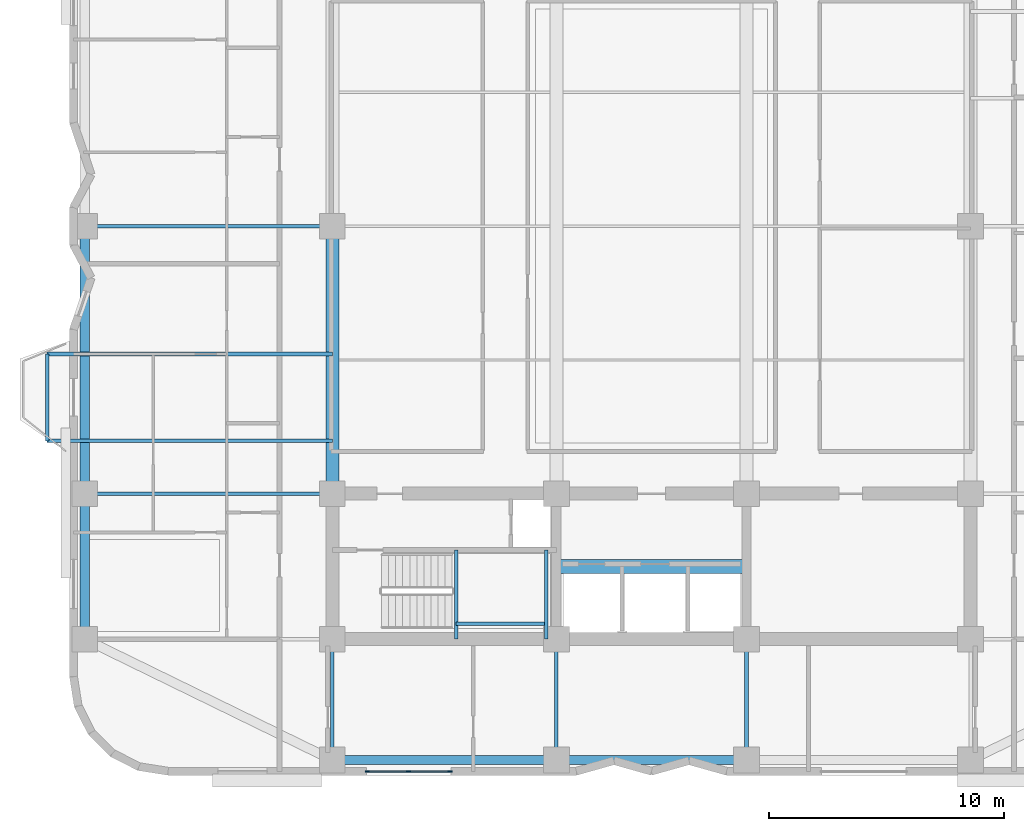
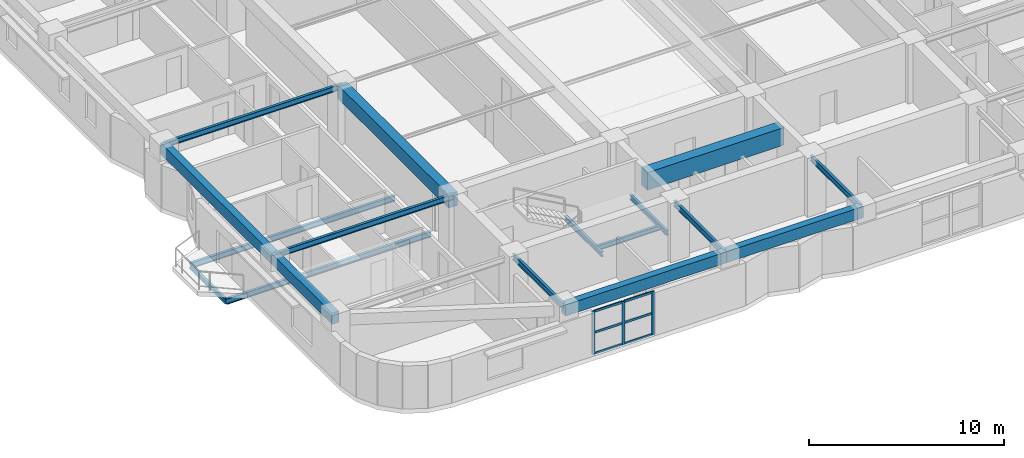
# One storey, part 2 of 15: 17 beams, 9 members, 1 element without a shape of its own.
"""IFC4 building model written with IfcOpenShell, lengths in metres."""

from ifc_helpers import new_model, si_unit, direction, frame, origin, origin_2d, place, context, subcontext, project, spatial, rectangle, i_section, extrude, material, material_profile, profile_set, type_object, element, aggregate, save


model = new_model("IFC4")

# Units and contexts
model_context = context("Model", 3, precision=1e-05, world=origin(), true_north=direction((0.0, 1.0)))
body_context = subcontext(model_context, "Body", "Model", "MODEL_VIEW")
ifc_project = project(units=[si_unit("LENGTHUNIT", "METRE"), si_unit("AREAUNIT", "SQUARE_METRE"), si_unit("VOLUMEUNIT", "CUBIC_METRE"), si_unit("PLANEANGLEUNIT", "RADIAN"), si_unit("MASSUNIT", "GRAM", prefix="KILO")], contexts=[model_context])

# Site, building, storey
site_placement = place(None, origin())
site = spatial("IfcSite", under=ifc_project, at=site_placement, CompositionType="ELEMENT")
building_placement = place(site_placement, origin())
building = spatial("IfcBuilding", under=site, at=building_placement, Name="Svetorya Sky Lyceum", CompositionType="ELEMENT")
storey_placement = place(building_placement, frame((0.0, 0.0, 117.89990234375)))
storey = spatial("IfcBuildingStorey", under=building, at=storey_placement, Name="L29", CompositionType="ELEMENT", Elevation=117.89990234375)

# Beams
ifc_material_1 = material(Name="Concrete C60/75", Category="concrete")
ifc_material_profile_1 = material_profile(ifc_material_1, rectangle(XDim=0.60009765625, YDim=1.10009765625, at=origin_2d()), Name="RC COUPLING 600x1100")
ifc_profile_set_1 = profile_set([ifc_material_profile_1], Name="Concrete C60/75")
beam_type_1 = type_object("IfcBeamType", Name="BM-CPL-1100", PredefinedType="LINTEL", material=ifc_profile_set_1)
beam_1_placement = place(storey_placement, frame((35.14990234375, 13.699951171875, 2.8701171875), z_axis=(1.0, 0.0, 0.0), x_axis=(0.0, 1.0, 0.0)))
element("IfcBeam", 1, at=beam_1_placement, inside=storey, type_object=beam_type_1, Name="L29 SC Core Coupling Beam", PredefinedType="LINTEL", context=body_context, shape_type="SweptSolid", body=[
    extrude(rectangle(XDim=0.60009765625, YDim=1.10009765625, at=origin_2d()), origin(), (0.0, 0.0, 1.0), 8.10009765625),
])
ifc_material_2 = material(Name="Concrete C50/60", Category="concrete")
ifc_material_profile_2 = material_profile(ifc_material_2, rectangle(XDim=0.550048828125, YDim=0.85009765625, at=origin_2d()), Name="RC BEAM 550x850")
ifc_profile_set_2 = profile_set([ifc_material_profile_2], Name="Concrete C50/60")
beam_type_2 = type_object("IfcBeamType", Name="BM-RC-850", PredefinedType="BEAM", material=ifc_profile_set_2)
beam_2_placement = place(storey_placement, frame((25.60009765625, 16.800048828125, 2.9951171875), z_axis=(0.0, 1.0, 0.0), x_axis=(-1.0, 0.0, 0.0)))
element("IfcBeam", 2, at=beam_2_placement, inside=storey, type_object=beam_type_2, Name="L29 Central Bay Primary Girder CG-1A", PredefinedType="BEAM", context=body_context, shape_type="SweptSolid", body=[
    extrude(rectangle(XDim=0.550048828125, YDim=0.85009765625, at=origin_2d()), origin(), (0.0, 0.0, 1.0), 11.39990234375),
])
ifc_material_profile_3 = material_profile(ifc_material_2, rectangle(XDim=0.39990234375, YDim=0.699951171875, at=origin_2d()), Name="RC SPANDREL 400x700")
ifc_profile_set_3 = profile_set([ifc_material_profile_3], Name="Concrete C50/60")
beam_type_3 = type_object("IfcBeamType", Name="BM-SPN-700", PredefinedType="SPANDREL", material=ifc_profile_set_3)
beam_3_placement = place(storey_placement, frame((25.60009765625, 5.449951171875, 3.070068359375), z_axis=(1.0, 0.0, 0.0), x_axis=(0.0, 1.0, 0.0)))
element("IfcBeam", 3, at=beam_3_placement, inside=storey, type_object=beam_type_3, Name="L29 South Spandrel 1", PredefinedType="SPANDREL", context=body_context, shape_type="SweptSolid", body=[
    extrude(rectangle(XDim=0.39990234375, YDim=0.699951171875, at=origin_2d()), origin(), (0.0, 0.0, 1.0), 9.5498046875),
])
beam_4_placement = place(storey_placement, frame((35.14990234375, 5.449951171875, 3.070068359375), z_axis=(1.0, 0.0, 0.0), x_axis=(0.0, 1.0, 0.0)))
element("IfcBeam", 4, at=beam_4_placement, inside=storey, type_object=beam_type_3, Name="L29 South Spandrel 2", PredefinedType="SPANDREL", context=body_context, shape_type="SweptSolid", body=[
    extrude(rectangle(XDim=0.39990234375, YDim=0.699951171875, at=origin_2d()), origin(), (0.0, 0.0, 1.0), 8.10009765625),
])
beam_5_placement = place(storey_placement, frame((15.050048828125, 10.60009765625, 3.070068359375), z_axis=(0.0, 1.0, 0.0), x_axis=(-1.0, 0.0, 0.0)))
element("IfcBeam", 5, at=beam_5_placement, inside=storey, type_object=beam_type_3, Name="L29 West Spandrel 1", PredefinedType="SPANDREL", context=body_context, shape_type="SweptSolid", body=[
    extrude(rectangle(XDim=0.39990234375, YDim=0.699951171875, at=origin_2d()), origin(), (0.0, 0.0, 1.0), 6.199951171875),
])
beam_6_placement = place(storey_placement, frame((15.050048828125, 16.800048828125, 3.070068359375), z_axis=(0.0, 1.0, 0.0), x_axis=(-1.0, 0.0, 0.0)))
element("IfcBeam", 6, at=beam_6_placement, inside=storey, type_object=beam_type_3, Name="L29 West Spandrel 2", PredefinedType="SPANDREL", context=body_context, shape_type="SweptSolid", body=[
    extrude(rectangle(XDim=0.39990234375, YDim=0.699951171875, at=origin_2d()), origin(), (0.0, 0.0, 1.0), 11.39990234375),
])
ifc_material_3 = material(Name="Steel S355", Category="steel")
ifc_material_profile_4 = material_profile(ifc_material_3, i_section(OverallWidth=0.14990234375, OverallDepth=0.299072265625, WebThickness=0.006591796875, FlangeThickness=0.010498046875, at=origin_2d()), Name="GOST 30B2")
ifc_profile_set_4 = profile_set([ifc_material_profile_4], Name="Steel S355")
beam_type_4 = type_object("IfcBeamType", Name="BM-STL-30B2", PredefinedType="JOIST", material=ifc_profile_set_4)
beam_7_placement = place(storey_placement, frame((13.449951171875, 19.050048828125, -0.454345703125), z_axis=(0.0, 1.0, 0.0), x_axis=(-1.0, 0.0, 0.0)))
element("IfcBeam", 7, at=beam_7_placement, inside=storey, type_object=beam_type_4, Name="L29 Balcony Edge Tie BAL-W1", PredefinedType="JOIST", context=body_context, shape_type="SweptSolid", body=[
    extrude(i_section(OverallWidth=0.14990234375, OverallDepth=0.299072265625, WebThickness=0.006591796875, FlangeThickness=0.010498046875, at=origin_2d()), origin(), (0.0, 0.0, 1.0), 3.699951171875),
])
for number, where, z_axis, x_axis, name in (
    (8, (30.8798828125, 10.60009765625, 1.50048828125), (0.0, 1.0, 0.0), (-1.0, 0.0, 0.0), "L29 Stair ST-S Half-Landing Support Beam 33.1"),
    (9, (34.719970703125, 10.60009765625, 1.50048828125), (0.0, 1.0, 0.0), (-1.0, 0.0, 0.0), "L29 Stair ST-S Half-Landing Support Beam 33.2"),
):
    element("IfcBeam", number, at=place(storey_placement, frame(where, z_axis=z_axis, x_axis=x_axis)), inside=storey, type_object=beam_type_4, Name=name, PredefinedType="JOIST", context=body_context, shape_type="SweptSolid", body=[
        extrude(i_section(OverallWidth=0.14990234375, OverallDepth=0.299072265625, WebThickness=0.006591796875, FlangeThickness=0.010498046875, at=origin_2d()), origin(), (0.0, 0.0, 1.0), 3.7998046875),
    ])
beam_8_placement = place(storey_placement, frame((30.8798828125, 11.25, 1.50048828125), z_axis=(1.0, 0.0, 0.0), x_axis=(0.0, 1.0, 0.0)))
element("IfcBeam", 10, at=beam_8_placement, inside=storey, type_object=beam_type_4, Name="L29 Stair ST-S Half-Landing Cross Tie 33", PredefinedType="JOIST", context=body_context, shape_type="SweptSolid", body=[
    extrude(i_section(OverallWidth=0.14990234375, OverallDepth=0.299072265625, WebThickness=0.006591796875, FlangeThickness=0.010498046875, at=origin_2d()), origin(), (0.0, 0.0, 1.0), 3.840087890625),
])
ifc_material_profile_5 = material_profile(ifc_material_3, i_section(OverallWidth=0.155029296875, OverallDepth=0.34912109375, WebThickness=0.007080078125, FlangeThickness=0.011474609375, at=origin_2d()), Name="GOST 35B2")
ifc_profile_set_5 = profile_set([ifc_material_profile_5], Name="Steel S355")
beam_type_5 = type_object("IfcBeamType", Name="BM-STL-35B2", PredefinedType="JOIST", material=ifc_profile_set_5)
for number, where, z_axis, x_axis, name in (
    (11, (25.60009765625, 19.050048828125, -0.454345703125), (-1.0, 0.0, 0.0), (0.0, -1.0, 0.0), "L29 Balcony Cantilever Beam BAL-W1-1"),
    (12, (25.60009765625, 22.75, -0.454345703125), (-1.0, 0.0, 0.0), (0.0, -1.0, 0.0), "L29 Balcony Cantilever Beam BAL-W1-2"),
):
    element("IfcBeam", number, at=place(storey_placement, frame(where, z_axis=z_axis, x_axis=x_axis)), inside=storey, type_object=beam_type_5, Name=name, PredefinedType="JOIST", context=body_context, shape_type="SweptSolid", body=[
        extrude(i_section(OverallWidth=0.155029296875, OverallDepth=0.34912109375, WebThickness=0.007080078125, FlangeThickness=0.011474609375, at=origin_2d()), origin(), (0.0, 0.0, 1.0), 12.150146484375),
    ])
for number, where, z_axis, x_axis, name in (
    (13, (15.050048828125, 16.800048828125, 3.24560546875), (1.0, 0.0, 0.0), (0.0, 1.0, 0.0), "L29 West Wing Floor Joist W2"),
    (14, (15.050048828125, 28.199951171875, 3.24560546875), (1.0, 0.0, 0.0), (0.0, 1.0, 0.0), "L29 West Wing Floor Joist W3"),
):
    element("IfcBeam", number, at=place(storey_placement, frame(where, z_axis=z_axis, x_axis=x_axis)), inside=storey, type_object=beam_type_5, Name=name, PredefinedType="JOIST", context=body_context, shape_type="SweptSolid", body=[
        extrude(i_section(OverallWidth=0.155029296875, OverallDepth=0.34912109375, WebThickness=0.007080078125, FlangeThickness=0.011474609375, at=origin_2d()), origin(), (0.0, 0.0, 1.0), 10.550048828125),
    ])
for number, where, z_axis, x_axis, name in (
    (15, (25.60009765625, 5.449951171875, 3.24560546875), (0.0, 1.0, 0.0), (-1.0, 0.0, 0.0), "L29 South Bay Floor Girder S1"),
    (16, (35.14990234375, 5.449951171875, 3.24560546875), (0.0, 1.0, 0.0), (-1.0, 0.0, 0.0), "L29 South Bay Floor Girder S2"),
    (17, (43.25, 5.449951171875, 3.24560546875), (0.0, 1.0, 0.0), (-1.0, 0.0, 0.0), "L29 South Bay Floor Girder S3"),
):
    element("IfcBeam", number, at=place(storey_placement, frame(where, z_axis=z_axis, x_axis=x_axis)), inside=storey, type_object=beam_type_5, Name=name, PredefinedType="JOIST", context=body_context, shape_type="SweptSolid", body=[
        extrude(i_section(OverallWidth=0.155029296875, OverallDepth=0.34912109375, WebThickness=0.007080078125, FlangeThickness=0.011474609375, at=origin_2d()), origin(), (0.0, 0.0, 1.0), 5.150146484375),
    ])

# Curtain wall, members
ifc_material_4 = material(Name="Thermally broken anodized aluminium and triple low-E glass", Category="aluminium")
curtain_wall_type = type_object("IfcCurtainWallType", Name="CW3-LOG-RES", PredefinedType="NOTDEFINED", material=ifc_material_4)
curtain_wall_placement = place(storey_placement, origin())
curtain_wall = element("IfcCurtainWall", 18, at=curtain_wall_placement, inside=storey, type_object=curtain_wall_type, Name="L29 Recessed Loggia Curtain Wall 6", PredefinedType="NOTDEFINED")
ifc_material_5 = material(Name="Thermally broken anodized aluminium EN AW-6060", Category="aluminium")
ifc_material_profile_6 = material_profile(ifc_material_5, rectangle(XDim=0.06494140625, YDim=0.179931640625, at=origin_2d()), Name="ALU MULLION 65x180")
ifc_profile_set_6 = profile_set([ifc_material_profile_6], Name="Thermally broken anodized aluminium EN AW-6060")
member_type_1 = type_object("IfcMemberType", Name="CWM-MUL-180", PredefinedType="MULLION", material=ifc_profile_set_6)
member_1_placement = place(storey_placement, frame((27.08251953125, 4.969970703125, 0.0), z_axis=(0.0, 0.0, 1.0), x_axis=(0.0, 1.0, 0.0)))
member_1 = element("IfcMember", 19, at=member_1_placement, type_object=member_type_1, Name="CW-3 mullion 1", PredefinedType="MULLION", context=body_context, shape_type="SweptSolid", body=[
    extrude(rectangle(XDim=0.06494140625, YDim=0.179931640625, at=origin_2d()), origin(), (0.0, 0.0, 1.0), 2.7001953125),
])
member_2_placement = place(storey_placement, frame((28.85009765625, 4.969970703125, 0.0), z_axis=(0.0, 0.0, 1.0), x_axis=(0.0, 1.0, 0.0)))
member_2 = element("IfcMember", 20, at=member_2_placement, type_object=member_type_1, Name="CW-3 mullion 2", PredefinedType="MULLION", context=body_context, shape_type="SweptSolid", body=[
    extrude(rectangle(XDim=0.06494140625, YDim=0.179931640625, at=origin_2d()), origin(), (0.0, 0.0, 1.0), 2.7001953125),
])
member_3_placement = place(storey_placement, frame((30.617431640625, 4.969970703125, 0.0), z_axis=(0.0, 0.0, 1.0), x_axis=(0.0, 1.0, 0.0)))
member_3 = element("IfcMember", 21, at=member_3_placement, type_object=member_type_1, Name="CW-3 mullion 3", PredefinedType="MULLION", context=body_context, shape_type="SweptSolid", body=[
    extrude(rectangle(XDim=0.06494140625, YDim=0.179931640625, at=origin_2d()), origin(), (0.0, 0.0, 1.0), 2.7001953125),
])
ifc_material_profile_7 = material_profile(ifc_material_5, rectangle(XDim=0.06494140625, YDim=0.139892578125, at=origin_2d()), Name="ALU TRANSOM 65x140")
ifc_profile_set_7 = profile_set([ifc_material_profile_7], Name="Thermally broken anodized aluminium EN AW-6060")
member_type_2 = type_object("IfcMemberType", Name="CWM-TRN-140", PredefinedType="USERDEFINED", material=ifc_profile_set_7)
member_4_placement = place(storey_placement, frame((27.113525390625, 4.969970703125, 0.03271484375), z_axis=(1.0, 0.0, 0.0), x_axis=(0.0, 1.0, 0.0)))
member_4 = element("IfcMember", 22, at=member_4_placement, type_object=member_type_2, Name="CW-3 transom 1.1", ObjectType="TRANSOM", PredefinedType="USERDEFINED", context=body_context, shape_type="SweptSolid", body=[
    extrude(rectangle(XDim=0.06494140625, YDim=0.139892578125, at=origin_2d()), origin(), (0.0, 0.0, 1.0), 1.70556640625),
])
member_5_placement = place(storey_placement, frame((27.113525390625, 4.969970703125, 1.35009765625), z_axis=(1.0, 0.0, 0.0), x_axis=(0.0, 1.0, 0.0)))
member_5 = element("IfcMember", 23, at=member_5_placement, type_object=member_type_2, Name="CW-3 transom 1.2", ObjectType="TRANSOM", PredefinedType="USERDEFINED", context=body_context, shape_type="SweptSolid", body=[
    extrude(rectangle(XDim=0.06494140625, YDim=0.139892578125, at=origin_2d()), origin(), (0.0, 0.0, 1.0), 1.70556640625),
])
member_6_placement = place(storey_placement, frame((27.113525390625, 4.969970703125, 2.66748046875), z_axis=(1.0, 0.0, 0.0), x_axis=(0.0, 1.0, 0.0)))
member_6 = element("IfcMember", 24, at=member_6_placement, type_object=member_type_2, Name="CW-3 transom 1.3", ObjectType="TRANSOM", PredefinedType="USERDEFINED", context=body_context, shape_type="SweptSolid", body=[
    extrude(rectangle(XDim=0.06494140625, YDim=0.139892578125, at=origin_2d()), origin(), (0.0, 0.0, 1.0), 1.70556640625),
])
member_7_placement = place(storey_placement, frame((28.881103515625, 4.969970703125, 0.03271484375), z_axis=(1.0, 0.0, 0.0), x_axis=(0.0, 1.0, 0.0)))
member_7 = element("IfcMember", 25, at=member_7_placement, type_object=member_type_2, Name="CW-3 transom 2.1", ObjectType="TRANSOM", PredefinedType="USERDEFINED", context=body_context, shape_type="SweptSolid", body=[
    extrude(rectangle(XDim=0.06494140625, YDim=0.139892578125, at=origin_2d()), origin(), (0.0, 0.0, 1.0), 1.705322265625),
])
member_8_placement = place(storey_placement, frame((28.881103515625, 4.969970703125, 1.35009765625), z_axis=(1.0, 0.0, 0.0), x_axis=(0.0, 1.0, 0.0)))
member_8 = element("IfcMember", 26, at=member_8_placement, type_object=member_type_2, Name="CW-3 transom 2.2", ObjectType="TRANSOM", PredefinedType="USERDEFINED", context=body_context, shape_type="SweptSolid", body=[
    extrude(rectangle(XDim=0.06494140625, YDim=0.139892578125, at=origin_2d()), origin(), (0.0, 0.0, 1.0), 1.705322265625),
])
member_9_placement = place(storey_placement, frame((28.881103515625, 4.969970703125, 2.66748046875), z_axis=(1.0, 0.0, 0.0), x_axis=(0.0, 1.0, 0.0)))
member_9 = element("IfcMember", 27, at=member_9_placement, type_object=member_type_2, Name="CW-3 transom 2.3", ObjectType="TRANSOM", PredefinedType="USERDEFINED", context=body_context, shape_type="SweptSolid", body=[
    extrude(rectangle(XDim=0.06494140625, YDim=0.139892578125, at=origin_2d()), origin(), (0.0, 0.0, 1.0), 1.705322265625),
])
aggregate(curtain_wall, [member_1, member_2, member_3, member_4, member_5, member_6, member_7, member_8, member_9])

save(model, "model.ifc")
